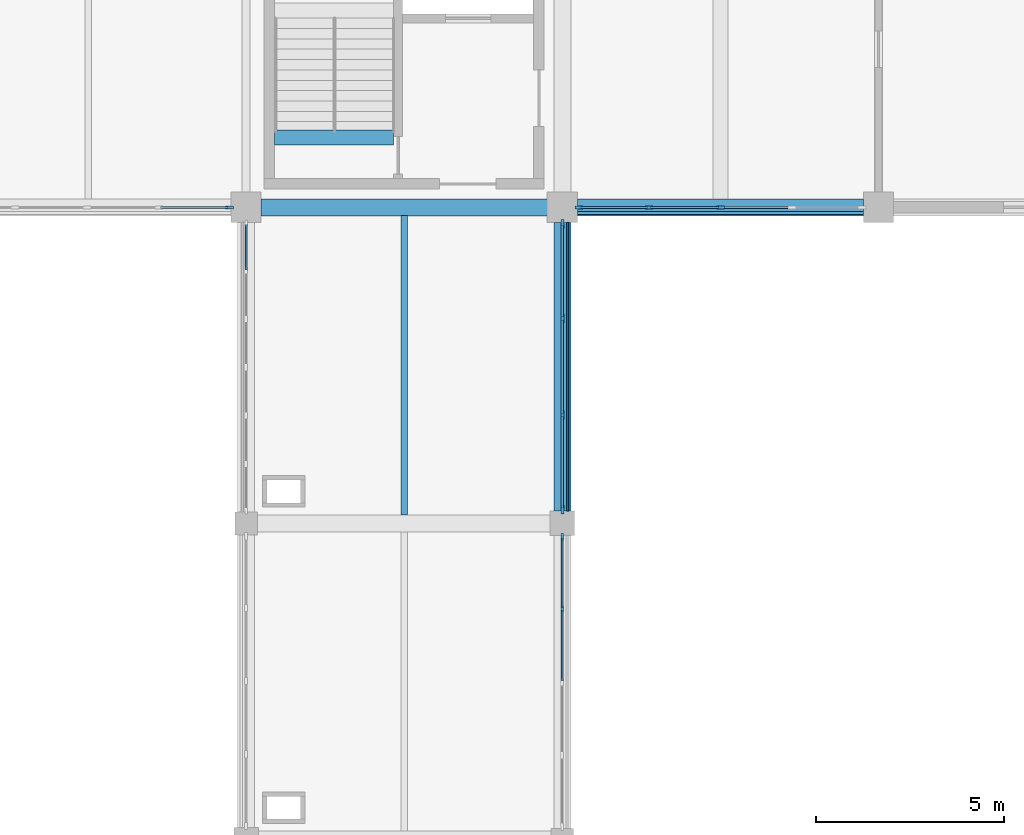
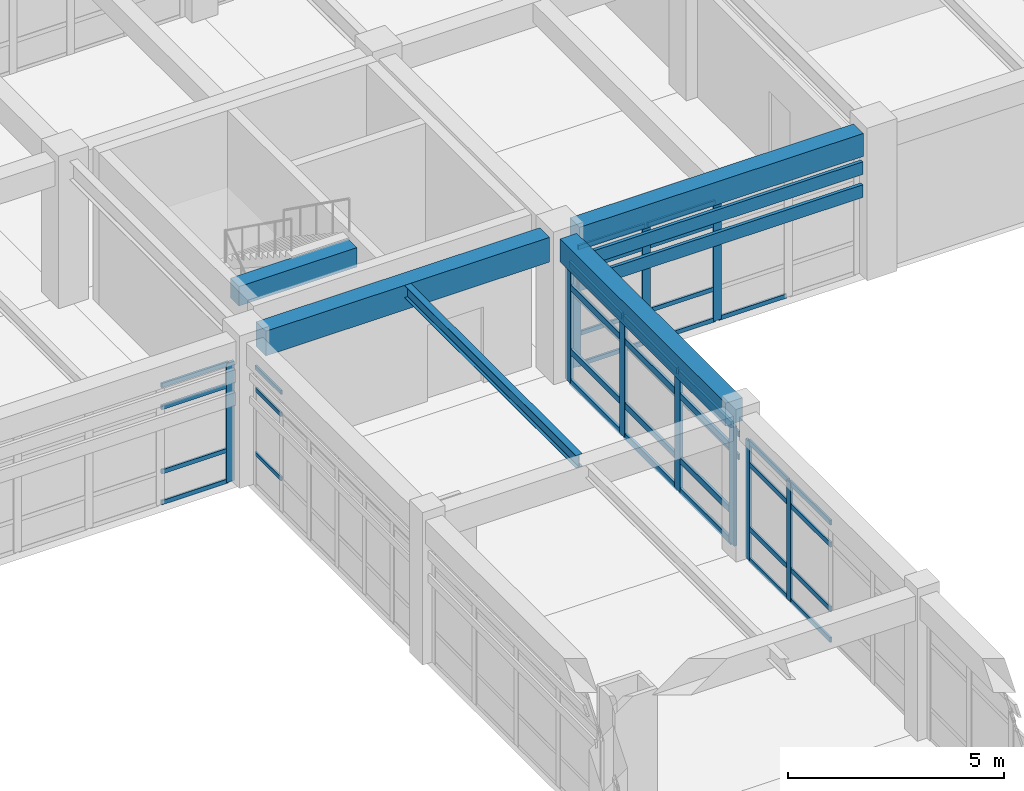
# One storey, part 29 of 74: 50 members, 5 beams, 5 elements without a shape of their own.
"""IFC4 building model written with IfcOpenShell, lengths in metres."""

from ifc_helpers import new_model, si_unit, direction, frame, origin, origin_2d, place, context, subcontext, project, spatial, rectangle, i_section, extrude, material, layer, layer_set, material_profile, profile_set, type_object, element, aggregate, save


model = new_model("IFC4")

# Units and contexts
model_context = context("Model", 3, precision=1e-05, world=origin(), true_north=direction((0.0, 1.0)))
body_context = subcontext(model_context, "Body", "Model", "MODEL_VIEW")
ifc_project = project(units=[si_unit("LENGTHUNIT", "METRE"), si_unit("AREAUNIT", "SQUARE_METRE"), si_unit("VOLUMEUNIT", "CUBIC_METRE"), si_unit("PLANEANGLEUNIT", "RADIAN"), si_unit("MASSUNIT", "GRAM", prefix="KILO")], contexts=[model_context])

# Site, building, storey
site_placement = place(None, origin())
site = spatial("IfcSite", under=ifc_project, at=site_placement, CompositionType="ELEMENT")
building_placement = place(site_placement, origin())
building = spatial("IfcBuilding", under=site, at=building_placement, Name="Porcellanite Civic Hall", CompositionType="ELEMENT")
storey_placement = place(building_placement, frame((0.0, 0.0, 14.760009765625)))
storey = spatial("IfcBuildingStorey", under=building, at=storey_placement, Name="L03", CompositionType="ELEMENT", Elevation=14.760009765625)

# Beams
ifc_material_1 = material(Name="Concrete N50 (50 MPa)", Category="concrete")
ifc_material_profile_1 = material_profile(ifc_material_1, rectangle(XDim=0.39990234375, YDim=0.550048828125, at=origin_2d()), Name="RC-400x550")
ifc_profile_set_1 = profile_set([ifc_material_profile_1], Name="Concrete N50 (50 MPa)")
beam_type_1 = type_object("IfcBeamType", Name="BM-RC550", PredefinedType="JOIST", material=ifc_profile_set_1)
beam_1_placement = place(storey_placement, frame((51.160400390625, 102.64990234375, 3.794921875), z_axis=(1.0, 0.0, 0.0), x_axis=(0.0, 1.0, 0.0)))
element("IfcBeam", 1, at=beam_1_placement, inside=storey, type_object=beam_type_1, Name="Stair header beam C3 L03", PredefinedType="JOIST", context=body_context, shape_type="SweptSolid", body=[
    extrude(rectangle(XDim=0.39990234375, YDim=0.550048828125, at=origin_2d()), origin(), (0.0, 0.0, 1.0), 3.1591796875),
])
ifc_material_2 = material(Name="Concrete N50 (50 MPa)", Category="concrete")
ifc_material_profile_2 = material_profile(ifc_material_2, rectangle(XDim=0.449951171875, YDim=0.64990234375, at=origin_2d()), Name="RC-450x650")
ifc_profile_set_2 = profile_set([ifc_material_profile_2], Name="Concrete N50 (50 MPa)")
beam_type_2 = type_object("IfcBeamType", Name="BM-RC650", PredefinedType="SPANDREL", material=ifc_profile_set_2)
beam_2_placement = place(storey_placement, frame((59.199462890625, 100.800048828125, 3.744873046875), z_axis=(1.0, 0.0, 0.0), x_axis=(0.0, 1.0, 0.0)))
element("IfcBeam", 2, at=beam_2_placement, inside=storey, type_object=beam_type_2, Name="Beam X L03 8-13", PredefinedType="SPANDREL", context=body_context, shape_type="SweptSolid", body=[
    extrude(rectangle(XDim=0.449951171875, YDim=0.64990234375, at=origin_2d()), origin(), (0.0, 0.0, 1.0), 7.60107421875),
])
beam_3_placement = place(storey_placement, frame((58.800048828125, 92.724609375, 3.744873046875), z_axis=(0.0, 1.0, 0.0), x_axis=(-1.0, 0.0, 0.0)))
element("IfcBeam", 3, at=beam_3_placement, inside=storey, type_object=beam_type_2, Name="Beam Y L03 8-12", PredefinedType="SPANDREL", context=body_context, shape_type="SweptSolid", body=[
    extrude(rectangle(XDim=0.449951171875, YDim=0.64990234375, at=origin_2d()), origin(), (0.0, 0.0, 1.0), 7.67578125),
])
ifc_material_3 = material(Name="Concrete N50 (50 MPa)", Category="concrete")
ifc_material_profile_3 = material_profile(ifc_material_3, rectangle(XDim=0.449951171875, YDim=0.699951171875, at=origin_2d()), Name="RC-450x700")
ifc_profile_set_3 = profile_set([ifc_material_profile_3], Name="Concrete N50 (50 MPa)")
beam_type_3 = type_object("IfcBeamType", Name="BM-RC700", PredefinedType="BEAM", material=ifc_profile_set_3)
beam_4_placement = place(storey_placement, frame((50.799560546875, 100.800048828125, 3.719970703125), z_axis=(1.0, 0.0, 0.0), x_axis=(0.0, 1.0, 0.0)))
element("IfcBeam", 4, at=beam_4_placement, inside=storey, type_object=beam_type_3, Name="Beam X L03 7-13", PredefinedType="BEAM", context=body_context, shape_type="SweptSolid", body=[
    extrude(rectangle(XDim=0.449951171875, YDim=0.699951171875, at=origin_2d()), origin(), (0.0, 0.0, 1.0), 7.600830078125),
])

# Curtain wall, members
ifc_material_4 = material(Name="Anodised aluminium and solar laminated glass", Category="aluminium")
ifc_layer_1 = layer(ifc_material_4, 0.179931640625)
ifc_layer_set_1 = layer_set([ifc_layer_1], Name="Anodised aluminium and solar laminated glass")
curtain_wall_type_1 = type_object("IfcCurtainWallType", Name="CW-SYS08", PredefinedType="NOTDEFINED", material=ifc_layer_set_1)
curtain_wall_1_placement = place(storey_placement, origin())
curtain_wall_1 = element("IfcCurtainWall", 5, at=curtain_wall_1_placement, inside=storey, type_object=curtain_wall_type_1, Name="Curtain wall CW-202", PredefinedType="NOTDEFINED")
ifc_material_5 = material(Name="Anodised aluminium 6063-T6", Category="aluminium")
ifc_material_profile_4 = material_profile(ifc_material_5, rectangle(XDim=0.080078125, YDim=0.239990234375, at=origin_2d()), Name="AL-80x240")
ifc_profile_set_4 = profile_set([ifc_material_profile_4], Name="Anodised aluminium 6063-T6")
member_type_1 = type_object("IfcMemberType", Name="CWM-01", PredefinedType="MULLION", material=ifc_profile_set_4)
member_1_placement = place(storey_placement, frame((58.800048828125, 100.35888671875, 0.0), z_axis=(0.0, 0.0, 1.0), x_axis=(1.0, 0.0, 0.0)))
member_1 = element("IfcMember", 6, at=member_1_placement, type_object=member_type_1, Name="CW-202 mullion 1", PredefinedType="MULLION", context=body_context, shape_type="SweptSolid", body=[
    extrude(rectangle(XDim=0.080078125, YDim=0.239990234375, at=origin_2d()), origin(), (0.0, 0.0, 1.0), 3.369873046875),
])
member_2_placement = place(storey_placement, frame((58.800048828125, 97.84130859375, 0.0), z_axis=(0.0, 0.0, 1.0), x_axis=(1.0, 0.0, 0.0)))
member_2 = element("IfcMember", 7, at=member_2_placement, type_object=member_type_1, Name="CW-202 mullion 2", PredefinedType="MULLION", context=body_context, shape_type="SweptSolid", body=[
    extrude(rectangle(XDim=0.080078125, YDim=0.239990234375, at=origin_2d()), origin(), (0.0, 0.0, 1.0), 3.369873046875),
])
member_3_placement = place(storey_placement, frame((58.800048828125, 95.28369140625, 0.0), z_axis=(0.0, 0.0, 1.0), x_axis=(1.0, 0.0, 0.0)))
member_3 = element("IfcMember", 8, at=member_3_placement, type_object=member_type_1, Name="CW-202 mullion 3", PredefinedType="MULLION", context=body_context, shape_type="SweptSolid", body=[
    extrude(rectangle(XDim=0.080078125, YDim=0.239990234375, at=origin_2d()), origin(), (0.0, 0.0, 1.0), 3.369873046875),
])
member_4_placement = place(storey_placement, frame((58.800048828125, 92.76611328125, 0.0), z_axis=(0.0, 0.0, 1.0), x_axis=(1.0, 0.0, 0.0)))
member_4 = element("IfcMember", 9, at=member_4_placement, type_object=member_type_1, Name="CW-202 mullion 4", PredefinedType="MULLION", context=body_context, shape_type="SweptSolid", body=[
    extrude(rectangle(XDim=0.080078125, YDim=0.239990234375, at=origin_2d()), origin(), (0.0, 0.0, 1.0), 3.369873046875),
])

# Curtain wall, member
ifc_material_6 = material(Name="Anodised aluminium and solar laminated glass", Category="aluminium")
ifc_layer_2 = layer(ifc_material_6, 0.179931640625)
ifc_layer_set_2 = layer_set([ifc_layer_2], Name="Anodised aluminium and solar laminated glass")
curtain_wall_type_2 = type_object("IfcCurtainWallType", Name="CW-SYS03", PredefinedType="NOTDEFINED", material=ifc_layer_set_2)
curtain_wall_2_placement = place(storey_placement, origin())
curtain_wall_2 = element("IfcCurtainWall", 10, at=curtain_wall_2_placement, inside=storey, type_object=curtain_wall_type_2, Name="Curtain wall CW-192", PredefinedType="NOTDEFINED")
ifc_material_7 = material(Name="Anodised aluminium 6063-T6", Category="aluminium")
ifc_material_profile_5 = material_profile(ifc_material_7, rectangle(XDim=0.080078125, YDim=0.2099609375, at=origin_2d()), Name="AL-80x210")
ifc_profile_set_5 = profile_set([ifc_material_profile_5], Name="Anodised aluminium 6063-T6")
member_type_2 = type_object("IfcMemberType", Name="CWM-02", PredefinedType="MULLION", material=ifc_profile_set_5)
member_5_placement = place(storey_placement, frame((49.958984375, 100.800048828125, 0.0), z_axis=(0.0, 0.0, 1.0), x_axis=(0.0, -1.0, 0.0)))
member_5 = element("IfcMember", 11, at=member_5_placement, type_object=member_type_2, Name="CW-192 mullion 1", PredefinedType="MULLION", context=body_context, shape_type="SweptSolid", body=[
    extrude(rectangle(XDim=0.080078125, YDim=0.2099609375, at=origin_2d()), origin(), (0.0, 0.0, 1.0), 3.369873046875),
])

# Curtain wall, members
curtain_wall_3_placement = place(storey_placement, origin())
curtain_wall_3 = element("IfcCurtainWall", 12, at=curtain_wall_3_placement, inside=storey, type_object=curtain_wall_type_2, Name="Curtain wall CW-204", PredefinedType="NOTDEFINED")
member_6_placement = place(storey_placement, frame((63.0, 100.800048828125, 0.0), z_axis=(0.0, 0.0, 1.0), x_axis=(0.0, -1.0, 0.0)))
member_6 = element("IfcMember", 13, at=member_6_placement, type_object=member_type_2, Name="CW-204 mullion 3", PredefinedType="MULLION", context=body_context, shape_type="SweptSolid", body=[
    extrude(rectangle(XDim=0.080078125, YDim=0.2099609375, at=origin_2d()), origin(), (0.0, 0.0, 1.0), 3.369873046875),
])
member_7_placement = place(storey_placement, frame((61.1005859375, 100.800048828125, 0.0), z_axis=(0.0, 0.0, 1.0), x_axis=(0.0, -1.0, 0.0)))
member_7 = element("IfcMember", 14, at=member_7_placement, type_object=member_type_2, Name="CW-204 mullion 4", PredefinedType="MULLION", context=body_context, shape_type="SweptSolid", body=[
    extrude(rectangle(XDim=0.080078125, YDim=0.2099609375, at=origin_2d()), origin(), (0.0, 0.0, 1.0), 3.369873046875),
])
member_8_placement = place(storey_placement, frame((59.240966796875, 100.800048828125, 0.0), z_axis=(0.0, 0.0, 1.0), x_axis=(0.0, -1.0, 0.0)))
member_8 = element("IfcMember", 15, at=member_8_placement, type_object=member_type_2, Name="CW-204 mullion 5", PredefinedType="MULLION", context=body_context, shape_type="SweptSolid", body=[
    extrude(rectangle(XDim=0.080078125, YDim=0.2099609375, at=origin_2d()), origin(), (0.0, 0.0, 1.0), 3.369873046875),
])

ifc_material_8 = material(Name="Anodised aluminium and solar laminated glass", Category="aluminium")
ifc_layer_3 = layer(ifc_material_8, 0.179931640625)
ifc_layer_set_3 = layer_set([ifc_layer_3], Name="Anodised aluminium and solar laminated glass")
curtain_wall_type_3 = type_object("IfcCurtainWallType", Name="CW-SYS06", PredefinedType="NOTDEFINED", material=ifc_layer_set_3)
curtain_wall_4_placement = place(storey_placement, origin())
curtain_wall_4 = element("IfcCurtainWall", 16, at=curtain_wall_4_placement, inside=storey, type_object=curtain_wall_type_3, Name="Curtain wall CW-200", PredefinedType="NOTDEFINED")
ifc_material_9 = material(Name="Anodised aluminium 6063-T6", Category="aluminium")
ifc_material_profile_6 = material_profile(ifc_material_9, rectangle(XDim=0.06494140625, YDim=0.179931640625, at=origin_2d()), Name="AL-65x180")
ifc_profile_set_6 = profile_set([ifc_material_profile_6], Name="Anodised aluminium 6063-T6")
member_type_3 = type_object("IfcMemberType", Name="CWM-06", PredefinedType="MULLION", material=ifc_profile_set_6)
member_9_placement = place(storey_placement, frame((58.800048828125, 92.04150390625, 0.0), z_axis=(0.0, 0.0, 1.0), x_axis=(1.0, 0.0, 0.0)))
member_9 = element("IfcMember", 17, at=member_9_placement, type_object=member_type_3, Name="CW-200 mullion 1", PredefinedType="MULLION", context=body_context, shape_type="SweptSolid", body=[
    extrude(rectangle(XDim=0.06494140625, YDim=0.179931640625, at=origin_2d()), origin(), (0.0, 0.0, 1.0), 3.369873046875),
])
member_10_placement = place(storey_placement, frame((58.800048828125, 90.130859375, 0.0), z_axis=(0.0, 0.0, 1.0), x_axis=(1.0, 0.0, 0.0)))
member_10 = element("IfcMember", 18, at=member_10_placement, type_object=member_type_3, Name="CW-200 mullion 2", PredefinedType="MULLION", context=body_context, shape_type="SweptSolid", body=[
    extrude(rectangle(XDim=0.06494140625, YDim=0.179931640625, at=origin_2d()), origin(), (0.0, 0.0, 1.0), 3.369873046875),
])

# Member
ifc_material_10 = material(Name="Anodised aluminium 6063-T6", Category="aluminium")
ifc_material_profile_7 = material_profile(ifc_material_10, rectangle(XDim=0.070068359375, YDim=0.175048828125, at=origin_2d()), Name="AL-70x175")
ifc_profile_set_7 = profile_set([ifc_material_profile_7], Name="Anodised aluminium 6063-T6")
member_type_4 = type_object("IfcMemberType", Name="CWT-01", PredefinedType="USERDEFINED", material=ifc_profile_set_7)
member_11_placement = place(storey_placement, frame((58.800048828125, 100.319091796875, 0.034912109375), z_axis=(0.0, -1.0, 0.0), x_axis=(1.0, 0.0, 0.0)))
member_11 = element("IfcMember", 19, at=member_11_placement, type_object=member_type_4, Name="CW-202 transom 1.1", ObjectType="TRANSOM", PredefinedType="USERDEFINED", context=body_context, shape_type="SweptSolid", body=[
    extrude(rectangle(XDim=0.070068359375, YDim=0.175048828125, at=origin_2d()), origin(), (0.0, 0.0, 1.0), 2.437744140625),
])

member_12_placement = place(storey_placement, frame((58.800048828125, 100.319091796875, 0.89990234375), z_axis=(0.0, -1.0, 0.0), x_axis=(1.0, 0.0, 0.0)))
member_12 = element("IfcMember", 20, at=member_12_placement, type_object=member_type_4, Name="CW-202 transom 1.2", ObjectType="TRANSOM", PredefinedType="USERDEFINED", context=body_context, shape_type="SweptSolid", body=[
    extrude(rectangle(XDim=0.070068359375, YDim=0.175048828125, at=origin_2d()), origin(), (0.0, 0.0, 1.0), 2.437744140625),
])

member_13_placement = place(storey_placement, frame((58.800048828125, 100.319091796875, 2.719970703125), z_axis=(0.0, -1.0, 0.0), x_axis=(1.0, 0.0, 0.0)))
member_13 = element("IfcMember", 21, at=member_13_placement, type_object=member_type_4, Name="CW-202 transom 1.3", ObjectType="TRANSOM", PredefinedType="USERDEFINED", context=body_context, shape_type="SweptSolid", body=[
    extrude(rectangle(XDim=0.070068359375, YDim=0.175048828125, at=origin_2d()), origin(), (0.0, 0.0, 1.0), 2.437744140625),
])

member_14_placement = place(storey_placement, frame((58.800048828125, 100.319091796875, 3.3349609375), z_axis=(0.0, -1.0, 0.0), x_axis=(1.0, 0.0, 0.0)))
member_14 = element("IfcMember", 22, at=member_14_placement, type_object=member_type_4, Name="CW-202 transom 1.4", ObjectType="TRANSOM", PredefinedType="USERDEFINED", context=body_context, shape_type="SweptSolid", body=[
    extrude(rectangle(XDim=0.070068359375, YDim=0.175048828125, at=origin_2d()), origin(), (0.0, 0.0, 1.0), 2.437744140625),
])

member_15_placement = place(storey_placement, frame((58.800048828125, 97.80126953125, 0.034912109375), z_axis=(0.0, -1.0, 0.0), x_axis=(1.0, 0.0, 0.0)))
member_15 = element("IfcMember", 23, at=member_15_placement, type_object=member_type_4, Name="CW-202 transom 2.1", ObjectType="TRANSOM", PredefinedType="USERDEFINED", context=body_context, shape_type="SweptSolid", body=[
    extrude(rectangle(XDim=0.070068359375, YDim=0.175048828125, at=origin_2d()), origin(), (0.0, 0.0, 1.0), 2.4775390625),
])

member_16_placement = place(storey_placement, frame((58.800048828125, 97.80126953125, 0.89990234375), z_axis=(0.0, -1.0, 0.0), x_axis=(1.0, 0.0, 0.0)))
member_16 = element("IfcMember", 24, at=member_16_placement, type_object=member_type_4, Name="CW-202 transom 2.2", ObjectType="TRANSOM", PredefinedType="USERDEFINED", context=body_context, shape_type="SweptSolid", body=[
    extrude(rectangle(XDim=0.070068359375, YDim=0.175048828125, at=origin_2d()), origin(), (0.0, 0.0, 1.0), 2.4775390625),
])

member_17_placement = place(storey_placement, frame((58.800048828125, 97.80126953125, 2.719970703125), z_axis=(0.0, -1.0, 0.0), x_axis=(1.0, 0.0, 0.0)))
member_17 = element("IfcMember", 25, at=member_17_placement, type_object=member_type_4, Name="CW-202 transom 2.3", ObjectType="TRANSOM", PredefinedType="USERDEFINED", context=body_context, shape_type="SweptSolid", body=[
    extrude(rectangle(XDim=0.070068359375, YDim=0.175048828125, at=origin_2d()), origin(), (0.0, 0.0, 1.0), 2.4775390625),
])

member_18_placement = place(storey_placement, frame((58.800048828125, 97.80126953125, 3.3349609375), z_axis=(0.0, -1.0, 0.0), x_axis=(1.0, 0.0, 0.0)))
member_18 = element("IfcMember", 26, at=member_18_placement, type_object=member_type_4, Name="CW-202 transom 2.4", ObjectType="TRANSOM", PredefinedType="USERDEFINED", context=body_context, shape_type="SweptSolid", body=[
    extrude(rectangle(XDim=0.070068359375, YDim=0.175048828125, at=origin_2d()), origin(), (0.0, 0.0, 1.0), 2.4775390625),
])

member_19_placement = place(storey_placement, frame((58.800048828125, 95.24365234375, 0.034912109375), z_axis=(0.0, -1.0, 0.0), x_axis=(1.0, 0.0, 0.0)))
member_19 = element("IfcMember", 27, at=member_19_placement, type_object=member_type_4, Name="CW-202 transom 3.1", ObjectType="TRANSOM", PredefinedType="USERDEFINED", context=body_context, shape_type="SweptSolid", body=[
    extrude(rectangle(XDim=0.070068359375, YDim=0.175048828125, at=origin_2d()), origin(), (0.0, 0.0, 1.0), 2.437744140625),
])

member_20_placement = place(storey_placement, frame((58.800048828125, 95.24365234375, 0.89990234375), z_axis=(0.0, -1.0, 0.0), x_axis=(1.0, 0.0, 0.0)))
member_20 = element("IfcMember", 28, at=member_20_placement, type_object=member_type_4, Name="CW-202 transom 3.2", ObjectType="TRANSOM", PredefinedType="USERDEFINED", context=body_context, shape_type="SweptSolid", body=[
    extrude(rectangle(XDim=0.070068359375, YDim=0.175048828125, at=origin_2d()), origin(), (0.0, 0.0, 1.0), 2.437744140625),
])

member_21_placement = place(storey_placement, frame((58.800048828125, 95.24365234375, 2.719970703125), z_axis=(0.0, -1.0, 0.0), x_axis=(1.0, 0.0, 0.0)))
member_21 = element("IfcMember", 29, at=member_21_placement, type_object=member_type_4, Name="CW-202 transom 3.3", ObjectType="TRANSOM", PredefinedType="USERDEFINED", context=body_context, shape_type="SweptSolid", body=[
    extrude(rectangle(XDim=0.070068359375, YDim=0.175048828125, at=origin_2d()), origin(), (0.0, 0.0, 1.0), 2.437744140625),
])

member_22_placement = place(storey_placement, frame((58.800048828125, 95.24365234375, 3.3349609375), z_axis=(0.0, -1.0, 0.0), x_axis=(1.0, 0.0, 0.0)))
member_22 = element("IfcMember", 30, at=member_22_placement, type_object=member_type_4, Name="CW-202 transom 3.4", ObjectType="TRANSOM", PredefinedType="USERDEFINED", context=body_context, shape_type="SweptSolid", body=[
    extrude(rectangle(XDim=0.070068359375, YDim=0.175048828125, at=origin_2d()), origin(), (0.0, 0.0, 1.0), 2.437744140625),
])

aggregate(curtain_wall_1, [member_1, member_2, member_3, member_4, member_11, member_12, member_13, member_14, member_15, member_16, member_17, member_18, member_19, member_20, member_21, member_22])

ifc_material_11 = material(Name="Anodised aluminium 6063-T6", Category="aluminium")
ifc_material_profile_8 = material_profile(ifc_material_11, rectangle(XDim=0.054931640625, YDim=0.1201171875, at=origin_2d()), Name="AL-55x120")
ifc_profile_set_8 = profile_set([ifc_material_profile_8], Name="Anodised aluminium 6063-T6")
member_type_5 = type_object("IfcMemberType", Name="CWT-04", PredefinedType="USERDEFINED", material=ifc_profile_set_8)
member_23_placement = place(storey_placement, frame((49.9189453125, 100.800048828125, 0.027587890625), z_axis=(-1.0, 0.0, 0.0), x_axis=(0.0, -1.0, 0.0)))
member_23 = element("IfcMember", 31, at=member_23_placement, type_object=member_type_5, Name="CW-192 transom 1.1", ObjectType="TRANSOM", PredefinedType="USERDEFINED", context=body_context, shape_type="SweptSolid", body=[
    extrude(rectangle(XDim=0.054931640625, YDim=0.1201171875, at=origin_2d()), origin(), (0.0, 0.0, 1.0), 1.7919921875),
])

member_24_placement = place(storey_placement, frame((49.9189453125, 100.800048828125, 0.89990234375), z_axis=(-1.0, 0.0, 0.0), x_axis=(0.0, -1.0, 0.0)))
member_24 = element("IfcMember", 32, at=member_24_placement, type_object=member_type_5, Name="CW-192 transom 1.2", ObjectType="TRANSOM", PredefinedType="USERDEFINED", context=body_context, shape_type="SweptSolid", body=[
    extrude(rectangle(XDim=0.054931640625, YDim=0.1201171875, at=origin_2d()), origin(), (0.0, 0.0, 1.0), 1.7919921875),
])

member_25_placement = place(storey_placement, frame((49.9189453125, 100.800048828125, 2.719970703125), z_axis=(-1.0, 0.0, 0.0), x_axis=(0.0, -1.0, 0.0)))
member_25 = element("IfcMember", 33, at=member_25_placement, type_object=member_type_5, Name="CW-192 transom 1.3", ObjectType="TRANSOM", PredefinedType="USERDEFINED", context=body_context, shape_type="SweptSolid", body=[
    extrude(rectangle(XDim=0.054931640625, YDim=0.1201171875, at=origin_2d()), origin(), (0.0, 0.0, 1.0), 1.7919921875),
])

member_26_placement = place(storey_placement, frame((49.9189453125, 100.800048828125, 3.342529296875), z_axis=(-1.0, 0.0, 0.0), x_axis=(0.0, -1.0, 0.0)))
member_26 = element("IfcMember", 34, at=member_26_placement, type_object=member_type_5, Name="CW-192 transom 1.4", ObjectType="TRANSOM", PredefinedType="USERDEFINED", context=body_context, shape_type="SweptSolid", body=[
    extrude(rectangle(XDim=0.054931640625, YDim=0.1201171875, at=origin_2d()), origin(), (0.0, 0.0, 1.0), 1.7919921875),
])

aggregate(curtain_wall_2, [member_5, member_23, member_24, member_25, member_26])

member_27_placement = place(storey_placement, frame((64.859619140625, 100.800048828125, 0.027587890625), z_axis=(-1.0, 0.0, 0.0), x_axis=(0.0, -1.0, 0.0)))
member_27 = element("IfcMember", 35, at=member_27_placement, type_object=member_type_5, Name="CW-204 transom 2.1", ObjectType="TRANSOM", PredefinedType="USERDEFINED", context=body_context, shape_type="SweptSolid", body=[
    extrude(rectangle(XDim=0.054931640625, YDim=0.1201171875, at=origin_2d()), origin(), (0.0, 0.0, 1.0), 1.819580078125),
])

member_28_placement = place(storey_placement, frame((62.9599609375, 100.800048828125, 0.027587890625), z_axis=(-1.0, 0.0, 0.0), x_axis=(0.0, -1.0, 0.0)))
member_28 = element("IfcMember", 36, at=member_28_placement, type_object=member_type_5, Name="CW-204 transom 3.1", ObjectType="TRANSOM", PredefinedType="USERDEFINED", context=body_context, shape_type="SweptSolid", body=[
    extrude(rectangle(XDim=0.054931640625, YDim=0.1201171875, at=origin_2d()), origin(), (0.0, 0.0, 1.0), 1.819580078125),
])

member_29_placement = place(storey_placement, frame((62.9599609375, 100.800048828125, 0.89990234375), z_axis=(-1.0, 0.0, 0.0), x_axis=(0.0, -1.0, 0.0)))
member_29 = element("IfcMember", 37, at=member_29_placement, type_object=member_type_5, Name="CW-204 transom 3.2", ObjectType="TRANSOM", PredefinedType="USERDEFINED", context=body_context, shape_type="SweptSolid", body=[
    extrude(rectangle(XDim=0.054931640625, YDim=0.1201171875, at=origin_2d()), origin(), (0.0, 0.0, 1.0), 1.819580078125),
])

member_30_placement = place(storey_placement, frame((62.9599609375, 100.800048828125, 2.719970703125), z_axis=(-1.0, 0.0, 0.0), x_axis=(0.0, -1.0, 0.0)))
member_30 = element("IfcMember", 38, at=member_30_placement, type_object=member_type_5, Name="CW-204 transom 3.3", ObjectType="TRANSOM", PredefinedType="USERDEFINED", context=body_context, shape_type="SweptSolid", body=[
    extrude(rectangle(XDim=0.054931640625, YDim=0.1201171875, at=origin_2d()), origin(), (0.0, 0.0, 1.0), 1.819580078125),
])

member_31_placement = place(storey_placement, frame((62.9599609375, 100.800048828125, 3.342529296875), z_axis=(-1.0, 0.0, 0.0), x_axis=(0.0, -1.0, 0.0)))
member_31 = element("IfcMember", 39, at=member_31_placement, type_object=member_type_5, Name="CW-204 transom 3.4", ObjectType="TRANSOM", PredefinedType="USERDEFINED", context=body_context, shape_type="SweptSolid", body=[
    extrude(rectangle(XDim=0.054931640625, YDim=0.1201171875, at=origin_2d()), origin(), (0.0, 0.0, 1.0), 1.819580078125),
])

member_32_placement = place(storey_placement, frame((61.060546875, 100.800048828125, 0.027587890625), z_axis=(-1.0, 0.0, 0.0), x_axis=(0.0, -1.0, 0.0)))
member_32 = element("IfcMember", 40, at=member_32_placement, type_object=member_type_5, Name="CW-204 transom 4.1", ObjectType="TRANSOM", PredefinedType="USERDEFINED", context=body_context, shape_type="SweptSolid", body=[
    extrude(rectangle(XDim=0.054931640625, YDim=0.1201171875, at=origin_2d()), origin(), (0.0, 0.0, 1.0), 1.779541015625),
])

member_33_placement = place(storey_placement, frame((61.060546875, 100.800048828125, 0.89990234375), z_axis=(-1.0, 0.0, 0.0), x_axis=(0.0, -1.0, 0.0)))
member_33 = element("IfcMember", 41, at=member_33_placement, type_object=member_type_5, Name="CW-204 transom 4.2", ObjectType="TRANSOM", PredefinedType="USERDEFINED", context=body_context, shape_type="SweptSolid", body=[
    extrude(rectangle(XDim=0.054931640625, YDim=0.1201171875, at=origin_2d()), origin(), (0.0, 0.0, 1.0), 1.779541015625),
])

member_34_placement = place(storey_placement, frame((61.060546875, 100.800048828125, 2.719970703125), z_axis=(-1.0, 0.0, 0.0), x_axis=(0.0, -1.0, 0.0)))
member_34 = element("IfcMember", 42, at=member_34_placement, type_object=member_type_5, Name="CW-204 transom 4.3", ObjectType="TRANSOM", PredefinedType="USERDEFINED", context=body_context, shape_type="SweptSolid", body=[
    extrude(rectangle(XDim=0.054931640625, YDim=0.1201171875, at=origin_2d()), origin(), (0.0, 0.0, 1.0), 1.779541015625),
])

member_35_placement = place(storey_placement, frame((61.060546875, 100.800048828125, 3.342529296875), z_axis=(-1.0, 0.0, 0.0), x_axis=(0.0, -1.0, 0.0)))
member_35 = element("IfcMember", 43, at=member_35_placement, type_object=member_type_5, Name="CW-204 transom 4.4", ObjectType="TRANSOM", PredefinedType="USERDEFINED", context=body_context, shape_type="SweptSolid", body=[
    extrude(rectangle(XDim=0.054931640625, YDim=0.1201171875, at=origin_2d()), origin(), (0.0, 0.0, 1.0), 1.779541015625),
])

aggregate(curtain_wall_3, [member_6, member_7, member_8, member_27, member_28, member_29, member_30, member_31, member_32, member_33, member_34, member_35])

ifc_material_12 = material(Name="Anodised aluminium 6063-T6", Category="aluminium")
ifc_material_profile_9 = material_profile(ifc_material_12, rectangle(XDim=0.050048828125, YDim=0.139892578125, at=origin_2d()), Name="AL-50x140")
ifc_profile_set_9 = profile_set([ifc_material_profile_9], Name="Anodised aluminium 6063-T6")
member_type_6 = type_object("IfcMemberType", Name="CWT-06", PredefinedType="USERDEFINED", material=ifc_profile_set_9)
member_36_placement = place(storey_placement, frame((58.800048828125, 92.009033203125, 0.02490234375), z_axis=(0.0, -1.0, 0.0), x_axis=(1.0, 0.0, 0.0)))
member_36 = element("IfcMember", 44, at=member_36_placement, type_object=member_type_6, Name="CW-200 transom 1.1", ObjectType="TRANSOM", PredefinedType="USERDEFINED", context=body_context, shape_type="SweptSolid", body=[
    extrude(rectangle(XDim=0.050048828125, YDim=0.139892578125, at=origin_2d()), origin(), (0.0, 0.0, 1.0), 1.845703125),
])

member_37_placement = place(storey_placement, frame((58.800048828125, 92.009033203125, 0.89990234375), z_axis=(0.0, -1.0, 0.0), x_axis=(1.0, 0.0, 0.0)))
member_37 = element("IfcMember", 45, at=member_37_placement, type_object=member_type_6, Name="CW-200 transom 1.2", ObjectType="TRANSOM", PredefinedType="USERDEFINED", context=body_context, shape_type="SweptSolid", body=[
    extrude(rectangle(XDim=0.050048828125, YDim=0.139892578125, at=origin_2d()), origin(), (0.0, 0.0, 1.0), 1.845703125),
])

member_38_placement = place(storey_placement, frame((58.800048828125, 92.009033203125, 2.719970703125), z_axis=(0.0, -1.0, 0.0), x_axis=(1.0, 0.0, 0.0)))
member_38 = element("IfcMember", 46, at=member_38_placement, type_object=member_type_6, Name="CW-200 transom 1.3", ObjectType="TRANSOM", PredefinedType="USERDEFINED", context=body_context, shape_type="SweptSolid", body=[
    extrude(rectangle(XDim=0.050048828125, YDim=0.139892578125, at=origin_2d()), origin(), (0.0, 0.0, 1.0), 1.845703125),
])

member_39_placement = place(storey_placement, frame((58.800048828125, 92.009033203125, 3.344970703125), z_axis=(0.0, -1.0, 0.0), x_axis=(1.0, 0.0, 0.0)))
member_39 = element("IfcMember", 47, at=member_39_placement, type_object=member_type_6, Name="CW-200 transom 1.4", ObjectType="TRANSOM", PredefinedType="USERDEFINED", context=body_context, shape_type="SweptSolid", body=[
    extrude(rectangle(XDim=0.050048828125, YDim=0.139892578125, at=origin_2d()), origin(), (0.0, 0.0, 1.0), 1.845703125),
])

member_40_placement = place(storey_placement, frame((58.800048828125, 90.09814453125, 0.02490234375), z_axis=(0.0, -1.0, 0.0), x_axis=(1.0, 0.0, 0.0)))
member_40 = element("IfcMember", 48, at=member_40_placement, type_object=member_type_6, Name="CW-200 transom 2.1", ObjectType="TRANSOM", PredefinedType="USERDEFINED", context=body_context, shape_type="SweptSolid", body=[
    extrude(rectangle(XDim=0.050048828125, YDim=0.139892578125, at=origin_2d()), origin(), (0.0, 0.0, 1.0), 1.878173828125),
])

member_41_placement = place(storey_placement, frame((58.800048828125, 90.09814453125, 0.89990234375), z_axis=(0.0, -1.0, 0.0), x_axis=(1.0, 0.0, 0.0)))
member_41 = element("IfcMember", 49, at=member_41_placement, type_object=member_type_6, Name="CW-200 transom 2.2", ObjectType="TRANSOM", PredefinedType="USERDEFINED", context=body_context, shape_type="SweptSolid", body=[
    extrude(rectangle(XDim=0.050048828125, YDim=0.139892578125, at=origin_2d()), origin(), (0.0, 0.0, 1.0), 1.878173828125),
])

member_42_placement = place(storey_placement, frame((58.800048828125, 90.09814453125, 2.719970703125), z_axis=(0.0, -1.0, 0.0), x_axis=(1.0, 0.0, 0.0)))
member_42 = element("IfcMember", 50, at=member_42_placement, type_object=member_type_6, Name="CW-200 transom 2.3", ObjectType="TRANSOM", PredefinedType="USERDEFINED", context=body_context, shape_type="SweptSolid", body=[
    extrude(rectangle(XDim=0.050048828125, YDim=0.139892578125, at=origin_2d()), origin(), (0.0, 0.0, 1.0), 1.878173828125),
])

member_43_placement = place(storey_placement, frame((58.800048828125, 90.09814453125, 3.344970703125), z_axis=(0.0, -1.0, 0.0), x_axis=(1.0, 0.0, 0.0)))
member_43 = element("IfcMember", 51, at=member_43_placement, type_object=member_type_6, Name="CW-200 transom 2.4", ObjectType="TRANSOM", PredefinedType="USERDEFINED", context=body_context, shape_type="SweptSolid", body=[
    extrude(rectangle(XDim=0.050048828125, YDim=0.139892578125, at=origin_2d()), origin(), (0.0, 0.0, 1.0), 1.878173828125),
])

aggregate(curtain_wall_4, [member_9, member_10, member_36, member_37, member_38, member_39, member_40, member_41, member_42, member_43])

# Curtain wall, members
ifc_material_13 = material(Name="Anodised aluminium and solar laminated glass", Category="aluminium")
ifc_layer_4 = layer(ifc_material_13, 0.179931640625)
ifc_layer_set_4 = layer_set([ifc_layer_4], Name="Anodised aluminium and solar laminated glass")
curtain_wall_type_4 = type_object("IfcCurtainWallType", Name="CW-SYS07", PredefinedType="NOTDEFINED", material=ifc_layer_set_4)
curtain_wall_5_placement = place(storey_placement, origin())
curtain_wall_5 = element("IfcCurtainWall", 52, at=curtain_wall_5_placement, inside=storey, type_object=curtain_wall_type_4, Name="Curtain wall CW-201", PredefinedType="NOTDEFINED")
ifc_material_14 = material(Name="Anodised aluminium 6063-T6", Category="aluminium")
ifc_material_profile_10 = material_profile(ifc_material_14, rectangle(XDim=0.050048828125, YDim=0.110107421875, at=origin_2d()), Name="AL-50x110")
ifc_profile_set_10 = profile_set([ifc_material_profile_10], Name="Anodised aluminium 6063-T6")
member_type_7 = type_object("IfcMemberType", Name="CWT-07", PredefinedType="USERDEFINED", material=ifc_profile_set_10)
member_44_placement = place(storey_placement, frame((50.39990234375, 99.14599609375, 0.89990234375), z_axis=(0.0, 1.0, 0.0), x_axis=(-1.0, 0.0, 0.0)))
member_44 = element("IfcMember", 53, at=member_44_placement, type_object=member_type_7, Name="CW-201 transom 6.2", ObjectType="TRANSOM", PredefinedType="USERDEFINED", context=body_context, shape_type="SweptSolid", body=[
    extrude(rectangle(XDim=0.050048828125, YDim=0.110107421875, at=origin_2d()), origin(), (0.0, 0.0, 1.0), 1.193115234375),
])
member_45_placement = place(storey_placement, frame((50.39990234375, 99.14599609375, 2.719970703125), z_axis=(0.0, 1.0, 0.0), x_axis=(-1.0, 0.0, 0.0)))
member_45 = element("IfcMember", 54, at=member_45_placement, type_object=member_type_7, Name="CW-201 transom 6.3", ObjectType="TRANSOM", PredefinedType="USERDEFINED", context=body_context, shape_type="SweptSolid", body=[
    extrude(rectangle(XDim=0.050048828125, YDim=0.110107421875, at=origin_2d()), origin(), (0.0, 0.0, 1.0), 1.193115234375),
])
member_46_placement = place(storey_placement, frame((50.39990234375, 99.14599609375, 3.344970703125), z_axis=(0.0, 1.0, 0.0), x_axis=(-1.0, 0.0, 0.0)))
member_46 = element("IfcMember", 55, at=member_46_placement, type_object=member_type_7, Name="CW-201 transom 6.4", ObjectType="TRANSOM", PredefinedType="USERDEFINED", context=body_context, shape_type="SweptSolid", body=[
    extrude(rectangle(XDim=0.050048828125, YDim=0.110107421875, at=origin_2d()), origin(), (0.0, 0.0, 1.0), 1.193115234375),
])
aggregate(curtain_wall_5, [member_44, member_45, member_46])

# Beam
ifc_material_15 = material(Name="Steel Grade 350", Category="steel")
ifc_material_profile_11 = material_profile(ifc_material_15, i_section(OverallWidth=0.1708984375, OverallDepth=0.35595703125, WebThickness=0.00732421875, FlangeThickness=0.011474609375, FilletRadius=0.011474609375, at=origin_2d()), Name="360UB50.7")
ifc_profile_set_11 = profile_set([ifc_material_profile_11], Name="Steel Grade 350")
beam_type_4 = type_object("IfcBeamType", Name="JST-360UB51", PredefinedType="JOIST", material=ifc_profile_set_11)
beam_5_placement = place(storey_placement, frame((54.60009765625, 92.62451171875, 3.89208984375), z_axis=(0.0, 1.0, 0.0), x_axis=(-1.0, 0.0, 0.0)))
element("IfcBeam", 56, at=beam_5_placement, inside=storey, type_object=beam_type_4, Name="Secondary joist L03 7-12", PredefinedType="JOIST", context=body_context, shape_type="SweptSolid", body=[
    extrude(i_section(OverallWidth=0.1708984375, OverallDepth=0.35595703125, WebThickness=0.00732421875, FlangeThickness=0.011474609375, FilletRadius=0.011474609375, at=origin_2d()), origin(), (0.0, 0.0, 1.0), 7.950927734375),
])

# Members
ifc_material_16 = material(Name="Fluoropolymer bauxite-red aluminium 6063-T6", Category="aluminium")
ifc_material_profile_12 = material_profile(ifc_material_16, rectangle(XDim=0.090087890625, YDim=0.360107421875, at=origin_2d()), Name="AL-90x360")
ifc_profile_set_12 = profile_set([ifc_material_profile_12], Name="Fluoropolymer bauxite-red aluminium 6063-T6")
member_type_8 = type_object("IfcMemberType", Name="LV-BLD01", PredefinedType="USERDEFINED", material=ifc_profile_set_12)
for number, where, z_axis, x_axis, name in (
    (57, (66.800537109375, 100.64794921875, 3.070068359375), (-1.0, 0.0, 0.0), (0.0, -1.0, 0.0), "Cyclone sunshade louvre L03 S 7-12 1"),
    (58, (66.800537109375, 100.64794921875, 2.419921875), (-1.0, 0.0, 0.0), (0.0, -1.0, 0.0), "Cyclone sunshade louvre L03 S 7-12 2"),
):
    element("IfcMember", number, at=place(storey_placement, frame(where, z_axis=z_axis, x_axis=x_axis)), inside=storey, type_object=member_type_8, Name=name, ObjectType="LOUVRE BLADE", PredefinedType="USERDEFINED", context=body_context, shape_type="SweptSolid", body=[
        extrude(rectangle(XDim=0.090087890625, YDim=0.360107421875, at=origin_2d()), origin(), (0.0, 0.0, 1.0), 7.60107421875),
    ])
ifc_material_17 = material(Name="Fluoropolymer bauxite-red aluminium 6063-T6", Category="aluminium")
ifc_material_profile_13 = material_profile(ifc_material_17, rectangle(XDim=0.044921875, YDim=0.159912109375, at=origin_2d()), Name="AL-45x160")
ifc_profile_set_13 = profile_set([ifc_material_profile_13], Name="Fluoropolymer bauxite-red aluminium 6063-T6")
member_type_9 = type_object("IfcMemberType", Name="LV-BLD11", PredefinedType="USERDEFINED", material=ifc_profile_set_13)
for number, where, z_axis, x_axis, name in (
    (59, (58.944580078125, 100.400390625, 3.070068359375), (0.0, -1.0, 0.0), (1.0, 0.0, 0.0), "Cyclone sunshade louvre L03 E 6-11 1"),
    (60, (58.944580078125, 100.400390625, 2.419921875), (0.0, -1.0, 0.0), (1.0, 0.0, 0.0), "Cyclone sunshade louvre L03 E 6-11 2"),
):
    element("IfcMember", number, at=place(storey_placement, frame(where, z_axis=z_axis, x_axis=x_axis)), inside=storey, type_object=member_type_9, Name=name, ObjectType="LOUVRE BLADE", PredefinedType="USERDEFINED", context=body_context, shape_type="SweptSolid", body=[
        extrude(rectangle(XDim=0.044921875, YDim=0.159912109375, at=origin_2d()), origin(), (0.0, 0.0, 1.0), 7.67578125),
    ])

save(model, "model.ifc")
